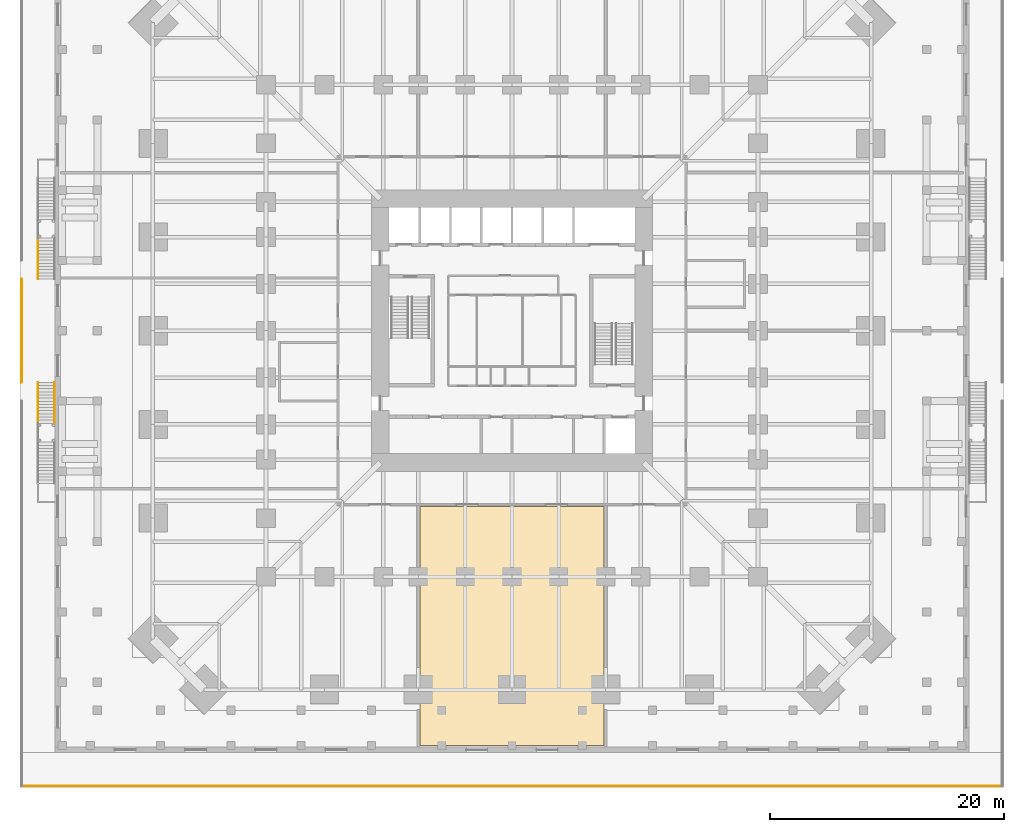
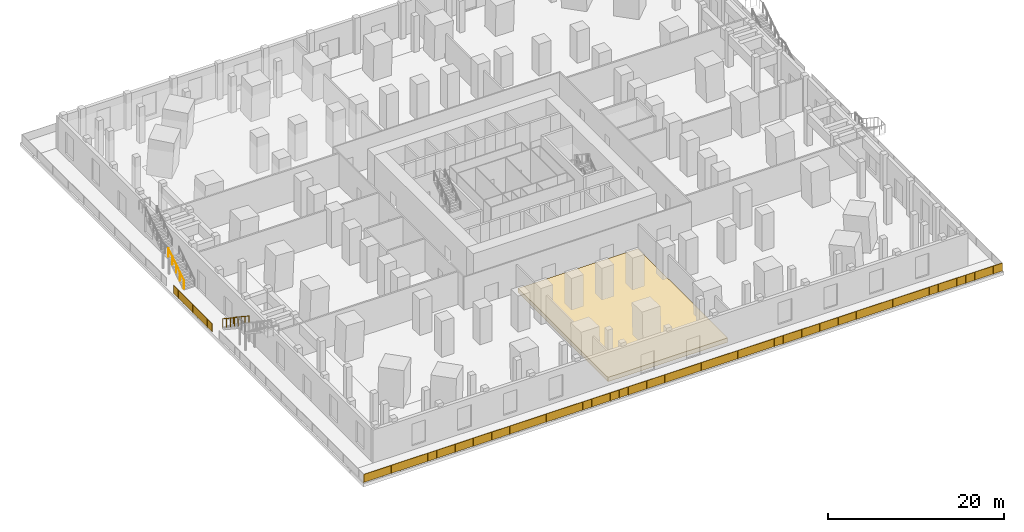
# One storey, part 18 of 22: 5 railings, 1 covering.
"""IFC4 building model written with IfcOpenShell, lengths in metres."""

from ifc_helpers import new_model, si_unit, direction, frame, origin, origin_2d, place, context, subcontext, project, spatial, polyline, rectangle, circle, outline, extrude, material, layer, layer_set, type_object, element, save


model = new_model("IFC4")

# Units and contexts
model_context = context("Model", 3, precision=1e-05, world=origin(), true_north=direction((0.0, 1.0)))
body_context = subcontext(model_context, "Body", "Model", "MODEL_VIEW")
ifc_project = project(units=[si_unit("LENGTHUNIT", "METRE"), si_unit("AREAUNIT", "SQUARE_METRE"), si_unit("VOLUMEUNIT", "CUBIC_METRE"), si_unit("PLANEANGLEUNIT", "RADIAN"), si_unit("MASSUNIT", "GRAM", prefix="KILO")], contexts=[model_context])

# Site, building, storey
site_placement = place(None, origin())
site = spatial("IfcSite", under=ifc_project, at=site_placement, CompositionType="ELEMENT")
building_placement = place(site_placement, origin())
building = spatial("IfcBuilding", under=site, at=building_placement, Name="Peilmerk Tower", CompositionType="ELEMENT")
storey_placement = place(building_placement, frame((0.0, 0.0, 6.0)))
storey = spatial("IfcBuildingStorey", under=building, at=storey_placement, Name="L01", CompositionType="ELEMENT", Elevation=6.0)

# Railings
ifc_material_1 = material(Name="Steel flat bar balustrade", Category="steel")
railing_type_1 = type_object("IfcRailingType", Name="GR1 1200 stair guard", PredefinedType="GUARDRAIL", material=ifc_material_1)
railing_1_placement = place(storey_placement, frame((-40.469970703125, 4.39990234375, 0.178466796875)))
element("IfcRailing", 1, at=railing_1_placement, inside=storey, type_object=railing_type_1, Name="Guard external stair 5 L01", PredefinedType="GUARDRAIL", context=body_context, shape_type="SweptSolid", body=[
    extrude(circle(Radius=0.02392578125, at=origin_2d()), frame((0.0, 0.0, 1.17578125), z_axis=(0.0, 0.834070780157, 0.551657442339), x_axis=(-1.0, 0.0, 0.0)), (0.0, 0.0, 1.0), 4.208251953125),
    extrude(circle(Radius=0.02099609375, at=origin_2d()), origin(), (0.0, 0.0, 1.0), 1.15185546875),
    extrude(circle(Radius=0.02099609375, at=origin_2d()), frame((0.0, 0.87744140625, 0.580322265625)), (0.0, 0.0, 1.0), 1.15185546875),
    extrude(circle(Radius=0.02099609375, at=origin_2d()), frame((0.0, 1.7548828125, 1.16064453125)), (0.0, 0.0, 1.0), 1.15185546875),
    extrude(circle(Radius=0.02099609375, at=origin_2d()), frame((0.0, 2.632568359375, 1.7412109375)), (0.0, 0.0, 1.0), 1.15185546875),
    extrude(circle(Radius=0.02099609375, at=origin_2d()), frame((0.0, 3.510009765625, 2.321533203125)), (0.0, 0.0, 1.0), 1.15185546875),
])
railing_2_placement = place(storey_placement, frame((-40.469970703125, -4.39990234375, 0.178466796875)))
element("IfcRailing", 2, at=railing_2_placement, inside=storey, type_object=railing_type_1, Name="Guard external stair 6 L01", PredefinedType="GUARDRAIL", context=body_context, shape_type="SweptSolid", body=[
    extrude(circle(Radius=0.02392578125, at=origin_2d()), frame((0.0, 0.0, 1.17578125), z_axis=(0.0, -0.834070780157, 0.551657442339), x_axis=(1.0, 0.0, 0.0)), (0.0, 0.0, 1.0), 4.208251953125),
    extrude(circle(Radius=0.02099609375, at=origin_2d()), origin(), (0.0, 0.0, 1.0), 1.15185546875),
    extrude(circle(Radius=0.02099609375, at=origin_2d()), frame((0.0, -0.87744140625, 0.580322265625)), (0.0, 0.0, 1.0), 1.15185546875),
    extrude(circle(Radius=0.02099609375, at=origin_2d()), frame((0.0, -1.7548828125, 1.16064453125)), (0.0, 0.0, 1.0), 1.15185546875),
    extrude(circle(Radius=0.02099609375, at=origin_2d()), frame((0.0, -2.632568359375, 1.7412109375)), (0.0, 0.0, 1.0), 1.15185546875),
    extrude(circle(Radius=0.02099609375, at=origin_2d()), frame((0.0, -3.510009765625, 2.321533203125)), (0.0, 0.0, 1.0), 1.15185546875),
])
ifc_material_2 = material(Name="Galvanised steel posts and top rail, laminated glass infill 16", Category="steel")
railing_type_2 = type_object("IfcRailingType", Name="GR2 1200 terrace balustrade", PredefinedType="BALUSTRADE", material=ifc_material_2)
railing_3_placement = place(storey_placement, frame((-41.85009765625, -38.85009765625, 0.0)))
element("IfcRailing", 3, at=railing_3_placement, inside=storey, type_object=railing_type_2, Name="Terrace balustrade L01", PredefinedType="BALUSTRADE", context=body_context, shape_type="SweptSolid", body=[
    extrude(circle(Radius=0.02392578125, at=origin_2d()), frame((0.0, 0.0, 1.17578125), z_axis=(1.0, 0.0, 0.0), x_axis=(0.0, 1.0, 0.0)), (0.0, 0.0, 1.0), 83.7001953125),
    extrude(circle(Radius=0.02099609375, at=origin_2d()), origin(), (0.0, 0.0, 1.0), 1.15185546875),
    extrude(circle(Radius=0.02099609375, at=origin_2d()), frame((1.19580078125, 0.0, 0.0)), (0.0, 0.0, 1.0), 1.15185546875),
    extrude(circle(Radius=0.02099609375, at=origin_2d()), frame((2.391357421875, 0.0, 0.0)), (0.0, 0.0, 1.0), 1.15185546875),
    extrude(circle(Radius=0.02099609375, at=origin_2d()), frame((3.587158203125, 0.0, 0.0)), (0.0, 0.0, 1.0), 1.15185546875),
    extrude(circle(Radius=0.02099609375, at=origin_2d()), frame((4.782958984375, 0.0, 0.0)), (0.0, 0.0, 1.0), 1.15185546875),
    extrude(circle(Radius=0.02099609375, at=origin_2d()), frame((5.978515625, 0.0, 0.0)), (0.0, 0.0, 1.0), 1.15185546875),
    extrude(circle(Radius=0.02099609375, at=origin_2d()), frame((7.17431640625, 0.0, 0.0)), (0.0, 0.0, 1.0), 1.15185546875),
    extrude(circle(Radius=0.02099609375, at=origin_2d()), frame((8.3701171875, 0.0, 0.0)), (0.0, 0.0, 1.0), 1.15185546875),
    extrude(circle(Radius=0.02099609375, at=origin_2d()), frame((9.565673828125, 0.0, 0.0)), (0.0, 0.0, 1.0), 1.15185546875),
    extrude(circle(Radius=0.02099609375, at=origin_2d()), frame((10.761474609375, 0.0, 0.0)), (0.0, 0.0, 1.0), 1.15185546875),
    extrude(circle(Radius=0.02099609375, at=origin_2d()), frame((11.957275390625, 0.0, 0.0)), (0.0, 0.0, 1.0), 1.15185546875),
    extrude(circle(Radius=0.02099609375, at=origin_2d()), frame((13.15283203125, 0.0, 0.0)), (0.0, 0.0, 1.0), 1.15185546875),
    extrude(circle(Radius=0.02099609375, at=origin_2d()), frame((14.3486328125, 0.0, 0.0)), (0.0, 0.0, 1.0), 1.15185546875),
    extrude(circle(Radius=0.02099609375, at=origin_2d()), frame((15.54443359375, 0.0, 0.0)), (0.0, 0.0, 1.0), 1.15185546875),
    extrude(circle(Radius=0.02099609375, at=origin_2d()), frame((16.739990234375, 0.0, 0.0)), (0.0, 0.0, 1.0), 1.15185546875),
    extrude(circle(Radius=0.02099609375, at=origin_2d()), frame((17.935791015625, 0.0, 0.0)), (0.0, 0.0, 1.0), 1.15185546875),
    extrude(circle(Radius=0.02099609375, at=origin_2d()), frame((19.131591796875, 0.0, 0.0)), (0.0, 0.0, 1.0), 1.15185546875),
    extrude(circle(Radius=0.02099609375, at=origin_2d()), frame((20.3271484375, 0.0, 0.0)), (0.0, 0.0, 1.0), 1.15185546875),
    extrude(circle(Radius=0.02099609375, at=origin_2d()), frame((21.52294921875, 0.0, 0.0)), (0.0, 0.0, 1.0), 1.15185546875),
    extrude(circle(Radius=0.02099609375, at=origin_2d()), frame((22.718505859375, 0.0, 0.0)), (0.0, 0.0, 1.0), 1.15185546875),
    extrude(circle(Radius=0.02099609375, at=origin_2d()), frame((23.914306640625, 0.0, 0.0)), (0.0, 0.0, 1.0), 1.15185546875),
    extrude(circle(Radius=0.02099609375, at=origin_2d()), frame((25.110107421875, 0.0, 0.0)), (0.0, 0.0, 1.0), 1.15185546875),
    extrude(circle(Radius=0.02099609375, at=origin_2d()), frame((26.3056640625, 0.0, 0.0)), (0.0, 0.0, 1.0), 1.15185546875),
    extrude(circle(Radius=0.02099609375, at=origin_2d()), frame((27.50146484375, 0.0, 0.0)), (0.0, 0.0, 1.0), 1.15185546875),
    extrude(circle(Radius=0.02099609375, at=origin_2d()), frame((28.697265625, 0.0, 0.0)), (0.0, 0.0, 1.0), 1.15185546875),
    extrude(circle(Radius=0.02099609375, at=origin_2d()), frame((29.892822265625, 0.0, 0.0)), (0.0, 0.0, 1.0), 1.15185546875),
    extrude(circle(Radius=0.02099609375, at=origin_2d()), frame((31.088623046875, 0.0, 0.0)), (0.0, 0.0, 1.0), 1.15185546875),
    extrude(circle(Radius=0.02099609375, at=origin_2d()), frame((32.284423828125, 0.0, 0.0)), (0.0, 0.0, 1.0), 1.15185546875),
    extrude(circle(Radius=0.02099609375, at=origin_2d()), frame((33.47998046875, 0.0, 0.0)), (0.0, 0.0, 1.0), 1.15185546875),
    extrude(circle(Radius=0.02099609375, at=origin_2d()), frame((34.67578125, 0.0, 0.0)), (0.0, 0.0, 1.0), 1.15185546875),
    extrude(circle(Radius=0.02099609375, at=origin_2d()), frame((35.87158203125, 0.0, 0.0)), (0.0, 0.0, 1.0), 1.15185546875),
    extrude(circle(Radius=0.02099609375, at=origin_2d()), frame((37.067138671875, 0.0, 0.0)), (0.0, 0.0, 1.0), 1.15185546875),
    extrude(circle(Radius=0.02099609375, at=origin_2d()), frame((38.262939453125, 0.0, 0.0)), (0.0, 0.0, 1.0), 1.15185546875),
    extrude(circle(Radius=0.02099609375, at=origin_2d()), frame((39.458740234375, 0.0, 0.0)), (0.0, 0.0, 1.0), 1.15185546875),
    extrude(circle(Radius=0.02099609375, at=origin_2d()), frame((40.654296875, 0.0, 0.0)), (0.0, 0.0, 1.0), 1.15185546875),
    extrude(circle(Radius=0.02099609375, at=origin_2d()), frame((41.85009765625, 0.0, 0.0)), (0.0, 0.0, 1.0), 1.15185546875),
    extrude(circle(Radius=0.02099609375, at=origin_2d()), frame((43.0458984375, 0.0, 0.0)), (0.0, 0.0, 1.0), 1.15185546875),
    extrude(circle(Radius=0.02099609375, at=origin_2d()), frame((44.241455078125, 0.0, 0.0)), (0.0, 0.0, 1.0), 1.15185546875),
    extrude(circle(Radius=0.02099609375, at=origin_2d()), frame((45.437255859375, 0.0, 0.0)), (0.0, 0.0, 1.0), 1.15185546875),
    extrude(circle(Radius=0.02099609375, at=origin_2d()), frame((46.633056640625, 0.0, 0.0)), (0.0, 0.0, 1.0), 1.15185546875),
    extrude(circle(Radius=0.02099609375, at=origin_2d()), frame((47.82861328125, 0.0, 0.0)), (0.0, 0.0, 1.0), 1.15185546875),
    extrude(circle(Radius=0.02099609375, at=origin_2d()), frame((49.0244140625, 0.0, 0.0)), (0.0, 0.0, 1.0), 1.15185546875),
    extrude(circle(Radius=0.02099609375, at=origin_2d()), frame((50.22021484375, 0.0, 0.0)), (0.0, 0.0, 1.0), 1.15185546875),
    extrude(circle(Radius=0.02099609375, at=origin_2d()), frame((51.415771484375, 0.0, 0.0)), (0.0, 0.0, 1.0), 1.15185546875),
    extrude(circle(Radius=0.02099609375, at=origin_2d()), frame((52.611572265625, 0.0, 0.0)), (0.0, 0.0, 1.0), 1.15185546875),
    extrude(circle(Radius=0.02099609375, at=origin_2d()), frame((53.807373046875, 0.0, 0.0)), (0.0, 0.0, 1.0), 1.15185546875),
    extrude(circle(Radius=0.02099609375, at=origin_2d()), frame((55.0029296875, 0.0, 0.0)), (0.0, 0.0, 1.0), 1.15185546875),
    extrude(circle(Radius=0.02099609375, at=origin_2d()), frame((56.19873046875, 0.0, 0.0)), (0.0, 0.0, 1.0), 1.15185546875),
    extrude(circle(Radius=0.02099609375, at=origin_2d()), frame((57.39453125, 0.0, 0.0)), (0.0, 0.0, 1.0), 1.15185546875),
    extrude(circle(Radius=0.02099609375, at=origin_2d()), frame((58.590087890625, 0.0, 0.0)), (0.0, 0.0, 1.0), 1.15185546875),
    extrude(circle(Radius=0.02099609375, at=origin_2d()), frame((59.785888671875, 0.0, 0.0)), (0.0, 0.0, 1.0), 1.15185546875),
    extrude(circle(Radius=0.02099609375, at=origin_2d()), frame((60.981689453125, 0.0, 0.0)), (0.0, 0.0, 1.0), 1.15185546875),
    extrude(circle(Radius=0.02099609375, at=origin_2d()), frame((62.17724609375, 0.0, 0.0)), (0.0, 0.0, 1.0), 1.15185546875),
    extrude(circle(Radius=0.02099609375, at=origin_2d()), frame((63.373046875, 0.0, 0.0)), (0.0, 0.0, 1.0), 1.15185546875),
    extrude(circle(Radius=0.02099609375, at=origin_2d()), frame((64.568603515625, 0.0, 0.0)), (0.0, 0.0, 1.0), 1.15185546875),
    extrude(circle(Radius=0.02099609375, at=origin_2d()), frame((65.764404296875, 0.0, 0.0)), (0.0, 0.0, 1.0), 1.15185546875),
    extrude(circle(Radius=0.02099609375, at=origin_2d()), frame((66.960205078125, 0.0, 0.0)), (0.0, 0.0, 1.0), 1.15185546875),
    extrude(circle(Radius=0.02099609375, at=origin_2d()), frame((68.15576171875, 0.0, 0.0)), (0.0, 0.0, 1.0), 1.15185546875),
    extrude(circle(Radius=0.02099609375, at=origin_2d()), frame((69.3515625, 0.0, 0.0)), (0.0, 0.0, 1.0), 1.15185546875),
    extrude(circle(Radius=0.02099609375, at=origin_2d()), frame((70.54736328125, 0.0, 0.0)), (0.0, 0.0, 1.0), 1.15185546875),
    extrude(circle(Radius=0.02099609375, at=origin_2d()), frame((71.742919921875, 0.0, 0.0)), (0.0, 0.0, 1.0), 1.15185546875),
    extrude(circle(Radius=0.02099609375, at=origin_2d()), frame((72.938720703125, 0.0, 0.0)), (0.0, 0.0, 1.0), 1.15185546875),
    extrude(circle(Radius=0.02099609375, at=origin_2d()), frame((74.134521484375, 0.0, 0.0)), (0.0, 0.0, 1.0), 1.15185546875),
    extrude(circle(Radius=0.02099609375, at=origin_2d()), frame((75.330078125, 0.0, 0.0)), (0.0, 0.0, 1.0), 1.15185546875),
    extrude(circle(Radius=0.02099609375, at=origin_2d()), frame((76.52587890625, 0.0, 0.0)), (0.0, 0.0, 1.0), 1.15185546875),
    extrude(circle(Radius=0.02099609375, at=origin_2d()), frame((77.7216796875, 0.0, 0.0)), (0.0, 0.0, 1.0), 1.15185546875),
    extrude(circle(Radius=0.02099609375, at=origin_2d()), frame((78.917236328125, 0.0, 0.0)), (0.0, 0.0, 1.0), 1.15185546875),
    extrude(circle(Radius=0.02099609375, at=origin_2d()), frame((80.113037109375, 0.0, 0.0)), (0.0, 0.0, 1.0), 1.15185546875),
    extrude(circle(Radius=0.02099609375, at=origin_2d()), frame((81.308837890625, 0.0, 0.0)), (0.0, 0.0, 1.0), 1.15185546875),
    extrude(circle(Radius=0.02099609375, at=origin_2d()), frame((82.50439453125, 0.0, 0.0)), (0.0, 0.0, 1.0), 1.15185546875),
    extrude(circle(Radius=0.02099609375, at=origin_2d()), frame((83.7001953125, 0.0, 0.0)), (0.0, 0.0, 1.0), 1.15185546875),
    extrude(rectangle(XDim=1.15380859375, YDim=0.01611328125, at=origin_2d()), frame((0.597900390625, 0.0, 0.050048828125), z_axis=(0.0, 0.0, 1.0), x_axis=(1.0, 0.0, 0.0)), (0.0, 0.0, 1.0), 1.101806640625),
    extrude(rectangle(XDim=1.15380859375, YDim=0.01611328125, at=origin_2d()), frame((1.79345703125, 0.0, 0.050048828125), z_axis=(0.0, 0.0, 1.0), x_axis=(1.0, 0.0, 0.0)), (0.0, 0.0, 1.0), 1.101806640625),
    extrude(rectangle(XDim=1.15380859375, YDim=0.01611328125, at=origin_2d()), frame((2.9892578125, 0.0, 0.050048828125), z_axis=(0.0, 0.0, 1.0), x_axis=(1.0, 0.0, 0.0)), (0.0, 0.0, 1.0), 1.101806640625),
    extrude(rectangle(XDim=1.15380859375, YDim=0.01611328125, at=origin_2d()), frame((4.18505859375, 0.0, 0.050048828125), z_axis=(0.0, 0.0, 1.0), x_axis=(1.0, 0.0, 0.0)), (0.0, 0.0, 1.0), 1.101806640625),
    extrude(rectangle(XDim=1.15380859375, YDim=0.01611328125, at=origin_2d()), frame((5.380615234375, 0.0, 0.050048828125), z_axis=(0.0, 0.0, 1.0), x_axis=(1.0, 0.0, 0.0)), (0.0, 0.0, 1.0), 1.101806640625),
    extrude(rectangle(XDim=1.15380859375, YDim=0.01611328125, at=origin_2d()), frame((6.576416015625, 0.0, 0.050048828125), z_axis=(0.0, 0.0, 1.0), x_axis=(1.0, 0.0, 0.0)), (0.0, 0.0, 1.0), 1.101806640625),
    extrude(rectangle(XDim=1.15380859375, YDim=0.01611328125, at=origin_2d()), frame((7.772216796875, 0.0, 0.050048828125), z_axis=(0.0, 0.0, 1.0), x_axis=(1.0, 0.0, 0.0)), (0.0, 0.0, 1.0), 1.101806640625),
    extrude(rectangle(XDim=1.15380859375, YDim=0.01611328125, at=origin_2d()), frame((8.9677734375, 0.0, 0.050048828125), z_axis=(0.0, 0.0, 1.0), x_axis=(1.0, 0.0, 0.0)), (0.0, 0.0, 1.0), 1.101806640625),
    extrude(rectangle(XDim=1.15380859375, YDim=0.01611328125, at=origin_2d()), frame((10.16357421875, 0.0, 0.050048828125), z_axis=(0.0, 0.0, 1.0), x_axis=(1.0, 0.0, 0.0)), (0.0, 0.0, 1.0), 1.101806640625),
    extrude(rectangle(XDim=1.15380859375, YDim=0.01611328125, at=origin_2d()), frame((11.359375, 0.0, 0.050048828125), z_axis=(0.0, 0.0, 1.0), x_axis=(1.0, 0.0, 0.0)), (0.0, 0.0, 1.0), 1.101806640625),
    extrude(rectangle(XDim=1.15380859375, YDim=0.01611328125, at=origin_2d()), frame((12.554931640625, 0.0, 0.050048828125), z_axis=(0.0, 0.0, 1.0), x_axis=(1.0, 0.0, 0.0)), (0.0, 0.0, 1.0), 1.101806640625),
    extrude(rectangle(XDim=1.15380859375, YDim=0.01611328125, at=origin_2d()), frame((13.750732421875, 0.0, 0.050048828125), z_axis=(0.0, 0.0, 1.0), x_axis=(1.0, 0.0, 0.0)), (0.0, 0.0, 1.0), 1.101806640625),
    extrude(rectangle(XDim=1.15380859375, YDim=0.01611328125, at=origin_2d()), frame((14.946533203125, 0.0, 0.050048828125), z_axis=(0.0, 0.0, 1.0), x_axis=(1.0, 0.0, 0.0)), (0.0, 0.0, 1.0), 1.101806640625),
    extrude(rectangle(XDim=1.15380859375, YDim=0.01611328125, at=origin_2d()), frame((16.14208984375, 0.0, 0.050048828125), z_axis=(0.0, 0.0, 1.0), x_axis=(1.0, 0.0, 0.0)), (0.0, 0.0, 1.0), 1.101806640625),
    extrude(rectangle(XDim=1.15380859375, YDim=0.01611328125, at=origin_2d()), frame((17.337890625, 0.0, 0.050048828125), z_axis=(0.0, 0.0, 1.0), x_axis=(1.0, 0.0, 0.0)), (0.0, 0.0, 1.0), 1.101806640625),
    extrude(rectangle(XDim=1.15380859375, YDim=0.01611328125, at=origin_2d()), frame((18.53369140625, 0.0, 0.050048828125), z_axis=(0.0, 0.0, 1.0), x_axis=(1.0, 0.0, 0.0)), (0.0, 0.0, 1.0), 1.101806640625),
    extrude(rectangle(XDim=1.15380859375, YDim=0.01611328125, at=origin_2d()), frame((19.729248046875, 0.0, 0.050048828125), z_axis=(0.0, 0.0, 1.0), x_axis=(1.0, 0.0, 0.0)), (0.0, 0.0, 1.0), 1.101806640625),
    extrude(rectangle(XDim=1.15380859375, YDim=0.01611328125, at=origin_2d()), frame((20.925048828125, 0.0, 0.050048828125), z_axis=(0.0, 0.0, 1.0), x_axis=(1.0, 0.0, 0.0)), (0.0, 0.0, 1.0), 1.101806640625),
    extrude(rectangle(XDim=1.15380859375, YDim=0.01611328125, at=origin_2d()), frame((22.120849609375, 0.0, 0.050048828125), z_axis=(0.0, 0.0, 1.0), x_axis=(1.0, 0.0, 0.0)), (0.0, 0.0, 1.0), 1.101806640625),
    extrude(rectangle(XDim=1.15380859375, YDim=0.01611328125, at=origin_2d()), frame((23.31640625, 0.0, 0.050048828125), z_axis=(0.0, 0.0, 1.0), x_axis=(1.0, 0.0, 0.0)), (0.0, 0.0, 1.0), 1.101806640625),
    extrude(rectangle(XDim=1.15380859375, YDim=0.01611328125, at=origin_2d()), frame((24.51220703125, 0.0, 0.050048828125), z_axis=(0.0, 0.0, 1.0), x_axis=(1.0, 0.0, 0.0)), (0.0, 0.0, 1.0), 1.101806640625),
    extrude(rectangle(XDim=1.15380859375, YDim=0.01611328125, at=origin_2d()), frame((25.7080078125, 0.0, 0.050048828125), z_axis=(0.0, 0.0, 1.0), x_axis=(1.0, 0.0, 0.0)), (0.0, 0.0, 1.0), 1.101806640625),
    extrude(rectangle(XDim=1.15380859375, YDim=0.01611328125, at=origin_2d()), frame((26.903564453125, 0.0, 0.050048828125), z_axis=(0.0, 0.0, 1.0), x_axis=(1.0, 0.0, 0.0)), (0.0, 0.0, 1.0), 1.101806640625),
    extrude(rectangle(XDim=1.15380859375, YDim=0.01611328125, at=origin_2d()), frame((28.099365234375, 0.0, 0.050048828125), z_axis=(0.0, 0.0, 1.0), x_axis=(1.0, 0.0, 0.0)), (0.0, 0.0, 1.0), 1.101806640625),
    extrude(rectangle(XDim=1.15380859375, YDim=0.01611328125, at=origin_2d()), frame((29.295166015625, 0.0, 0.050048828125), z_axis=(0.0, 0.0, 1.0), x_axis=(1.0, 0.0, 0.0)), (0.0, 0.0, 1.0), 1.101806640625),
    extrude(rectangle(XDim=1.15380859375, YDim=0.01611328125, at=origin_2d()), frame((30.49072265625, 0.0, 0.050048828125), z_axis=(0.0, 0.0, 1.0), x_axis=(1.0, 0.0, 0.0)), (0.0, 0.0, 1.0), 1.101806640625),
    extrude(rectangle(XDim=1.15380859375, YDim=0.01611328125, at=origin_2d()), frame((31.6865234375, 0.0, 0.050048828125), z_axis=(0.0, 0.0, 1.0), x_axis=(1.0, 0.0, 0.0)), (0.0, 0.0, 1.0), 1.101806640625),
    extrude(rectangle(XDim=1.15380859375, YDim=0.01611328125, at=origin_2d()), frame((32.88232421875, 0.0, 0.050048828125), z_axis=(0.0, 0.0, 1.0), x_axis=(1.0, 0.0, 0.0)), (0.0, 0.0, 1.0), 1.101806640625),
    extrude(rectangle(XDim=1.15380859375, YDim=0.01611328125, at=origin_2d()), frame((34.077880859375, 0.0, 0.050048828125), z_axis=(0.0, 0.0, 1.0), x_axis=(1.0, 0.0, 0.0)), (0.0, 0.0, 1.0), 1.101806640625),
    extrude(rectangle(XDim=1.15380859375, YDim=0.01611328125, at=origin_2d()), frame((35.273681640625, 0.0, 0.050048828125), z_axis=(0.0, 0.0, 1.0), x_axis=(1.0, 0.0, 0.0)), (0.0, 0.0, 1.0), 1.101806640625),
    extrude(rectangle(XDim=1.15380859375, YDim=0.01611328125, at=origin_2d()), frame((36.469482421875, 0.0, 0.050048828125), z_axis=(0.0, 0.0, 1.0), x_axis=(1.0, 0.0, 0.0)), (0.0, 0.0, 1.0), 1.101806640625),
    extrude(rectangle(XDim=1.15380859375, YDim=0.01611328125, at=origin_2d()), frame((37.6650390625, 0.0, 0.050048828125), z_axis=(0.0, 0.0, 1.0), x_axis=(1.0, 0.0, 0.0)), (0.0, 0.0, 1.0), 1.101806640625),
    extrude(rectangle(XDim=1.15380859375, YDim=0.01611328125, at=origin_2d()), frame((38.86083984375, 0.0, 0.050048828125), z_axis=(0.0, 0.0, 1.0), x_axis=(1.0, 0.0, 0.0)), (0.0, 0.0, 1.0), 1.101806640625),
    extrude(rectangle(XDim=1.15380859375, YDim=0.01611328125, at=origin_2d()), frame((40.056640625, 0.0, 0.050048828125), z_axis=(0.0, 0.0, 1.0), x_axis=(1.0, 0.0, 0.0)), (0.0, 0.0, 1.0), 1.101806640625),
    extrude(rectangle(XDim=1.15380859375, YDim=0.01611328125, at=origin_2d()), frame((41.252197265625, 0.0, 0.050048828125), z_axis=(0.0, 0.0, 1.0), x_axis=(1.0, 0.0, 0.0)), (0.0, 0.0, 1.0), 1.101806640625),
    extrude(rectangle(XDim=1.15380859375, YDim=0.01611328125, at=origin_2d()), frame((42.447998046875, 0.0, 0.050048828125), z_axis=(0.0, 0.0, 1.0), x_axis=(1.0, 0.0, 0.0)), (0.0, 0.0, 1.0), 1.101806640625),
    extrude(rectangle(XDim=1.15380859375, YDim=0.01611328125, at=origin_2d()), frame((43.6435546875, 0.0, 0.050048828125), z_axis=(0.0, 0.0, 1.0), x_axis=(1.0, 0.0, 0.0)), (0.0, 0.0, 1.0), 1.101806640625),
    extrude(rectangle(XDim=1.15380859375, YDim=0.01611328125, at=origin_2d()), frame((44.83935546875, 0.0, 0.050048828125), z_axis=(0.0, 0.0, 1.0), x_axis=(1.0, 0.0, 0.0)), (0.0, 0.0, 1.0), 1.101806640625),
    extrude(rectangle(XDim=1.15380859375, YDim=0.01611328125, at=origin_2d()), frame((46.03515625, 0.0, 0.050048828125), z_axis=(0.0, 0.0, 1.0), x_axis=(1.0, 0.0, 0.0)), (0.0, 0.0, 1.0), 1.101806640625),
    extrude(rectangle(XDim=1.15380859375, YDim=0.01611328125, at=origin_2d()), frame((47.230712890625, 0.0, 0.050048828125), z_axis=(0.0, 0.0, 1.0), x_axis=(1.0, 0.0, 0.0)), (0.0, 0.0, 1.0), 1.101806640625),
    extrude(rectangle(XDim=1.15380859375, YDim=0.01611328125, at=origin_2d()), frame((48.426513671875, 0.0, 0.050048828125), z_axis=(0.0, 0.0, 1.0), x_axis=(1.0, 0.0, 0.0)), (0.0, 0.0, 1.0), 1.101806640625),
    extrude(rectangle(XDim=1.15380859375, YDim=0.01611328125, at=origin_2d()), frame((49.622314453125, 0.0, 0.050048828125), z_axis=(0.0, 0.0, 1.0), x_axis=(1.0, 0.0, 0.0)), (0.0, 0.0, 1.0), 1.101806640625),
    extrude(rectangle(XDim=1.15380859375, YDim=0.01611328125, at=origin_2d()), frame((50.81787109375, 0.0, 0.050048828125), z_axis=(0.0, 0.0, 1.0), x_axis=(1.0, 0.0, 0.0)), (0.0, 0.0, 1.0), 1.101806640625),
    extrude(rectangle(XDim=1.15380859375, YDim=0.01611328125, at=origin_2d()), frame((52.013671875, 0.0, 0.050048828125), z_axis=(0.0, 0.0, 1.0), x_axis=(1.0, 0.0, 0.0)), (0.0, 0.0, 1.0), 1.101806640625),
    extrude(rectangle(XDim=1.15380859375, YDim=0.01611328125, at=origin_2d()), frame((53.20947265625, 0.0, 0.050048828125), z_axis=(0.0, 0.0, 1.0), x_axis=(1.0, 0.0, 0.0)), (0.0, 0.0, 1.0), 1.101806640625),
    extrude(rectangle(XDim=1.15380859375, YDim=0.01611328125, at=origin_2d()), frame((54.405029296875, 0.0, 0.050048828125), z_axis=(0.0, 0.0, 1.0), x_axis=(1.0, 0.0, 0.0)), (0.0, 0.0, 1.0), 1.101806640625),
    extrude(rectangle(XDim=1.15380859375, YDim=0.01611328125, at=origin_2d()), frame((55.600830078125, 0.0, 0.050048828125), z_axis=(0.0, 0.0, 1.0), x_axis=(1.0, 0.0, 0.0)), (0.0, 0.0, 1.0), 1.101806640625),
    extrude(rectangle(XDim=1.15380859375, YDim=0.01611328125, at=origin_2d()), frame((56.796630859375, 0.0, 0.050048828125), z_axis=(0.0, 0.0, 1.0), x_axis=(1.0, 0.0, 0.0)), (0.0, 0.0, 1.0), 1.101806640625),
    extrude(rectangle(XDim=1.15380859375, YDim=0.01611328125, at=origin_2d()), frame((57.9921875, 0.0, 0.050048828125), z_axis=(0.0, 0.0, 1.0), x_axis=(1.0, 0.0, 0.0)), (0.0, 0.0, 1.0), 1.101806640625),
    extrude(rectangle(XDim=1.15380859375, YDim=0.01611328125, at=origin_2d()), frame((59.18798828125, 0.0, 0.050048828125), z_axis=(0.0, 0.0, 1.0), x_axis=(1.0, 0.0, 0.0)), (0.0, 0.0, 1.0), 1.101806640625),
    extrude(rectangle(XDim=1.15380859375, YDim=0.01611328125, at=origin_2d()), frame((60.3837890625, 0.0, 0.050048828125), z_axis=(0.0, 0.0, 1.0), x_axis=(1.0, 0.0, 0.0)), (0.0, 0.0, 1.0), 1.101806640625),
    extrude(rectangle(XDim=1.15380859375, YDim=0.01611328125, at=origin_2d()), frame((61.579345703125, 0.0, 0.050048828125), z_axis=(0.0, 0.0, 1.0), x_axis=(1.0, 0.0, 0.0)), (0.0, 0.0, 1.0), 1.101806640625),
    extrude(rectangle(XDim=1.15380859375, YDim=0.01611328125, at=origin_2d()), frame((62.775146484375, 0.0, 0.050048828125), z_axis=(0.0, 0.0, 1.0), x_axis=(1.0, 0.0, 0.0)), (0.0, 0.0, 1.0), 1.101806640625),
    extrude(rectangle(XDim=1.15380859375, YDim=0.01611328125, at=origin_2d()), frame((63.970947265625, 0.0, 0.050048828125), z_axis=(0.0, 0.0, 1.0), x_axis=(1.0, 0.0, 0.0)), (0.0, 0.0, 1.0), 1.101806640625),
    extrude(rectangle(XDim=1.15380859375, YDim=0.01611328125, at=origin_2d()), frame((65.16650390625, 0.0, 0.050048828125), z_axis=(0.0, 0.0, 1.0), x_axis=(1.0, 0.0, 0.0)), (0.0, 0.0, 1.0), 1.101806640625),
    extrude(rectangle(XDim=1.15380859375, YDim=0.01611328125, at=origin_2d()), frame((66.3623046875, 0.0, 0.050048828125), z_axis=(0.0, 0.0, 1.0), x_axis=(1.0, 0.0, 0.0)), (0.0, 0.0, 1.0), 1.101806640625),
    extrude(rectangle(XDim=1.15380859375, YDim=0.01611328125, at=origin_2d()), frame((67.55810546875, 0.0, 0.050048828125), z_axis=(0.0, 0.0, 1.0), x_axis=(1.0, 0.0, 0.0)), (0.0, 0.0, 1.0), 1.101806640625),
    extrude(rectangle(XDim=1.15380859375, YDim=0.01611328125, at=origin_2d()), frame((68.753662109375, 0.0, 0.050048828125), z_axis=(0.0, 0.0, 1.0), x_axis=(1.0, 0.0, 0.0)), (0.0, 0.0, 1.0), 1.101806640625),
    extrude(rectangle(XDim=1.15380859375, YDim=0.01611328125, at=origin_2d()), frame((69.949462890625, 0.0, 0.050048828125), z_axis=(0.0, 0.0, 1.0), x_axis=(1.0, 0.0, 0.0)), (0.0, 0.0, 1.0), 1.101806640625),
    extrude(rectangle(XDim=1.15380859375, YDim=0.01611328125, at=origin_2d()), frame((71.145263671875, 0.0, 0.050048828125), z_axis=(0.0, 0.0, 1.0), x_axis=(1.0, 0.0, 0.0)), (0.0, 0.0, 1.0), 1.101806640625),
    extrude(rectangle(XDim=1.15380859375, YDim=0.01611328125, at=origin_2d()), frame((72.3408203125, 0.0, 0.050048828125), z_axis=(0.0, 0.0, 1.0), x_axis=(1.0, 0.0, 0.0)), (0.0, 0.0, 1.0), 1.101806640625),
    extrude(rectangle(XDim=1.15380859375, YDim=0.01611328125, at=origin_2d()), frame((73.53662109375, 0.0, 0.050048828125), z_axis=(0.0, 0.0, 1.0), x_axis=(1.0, 0.0, 0.0)), (0.0, 0.0, 1.0), 1.101806640625),
    extrude(rectangle(XDim=1.15380859375, YDim=0.01611328125, at=origin_2d()), frame((74.732421875, 0.0, 0.050048828125), z_axis=(0.0, 0.0, 1.0), x_axis=(1.0, 0.0, 0.0)), (0.0, 0.0, 1.0), 1.101806640625),
    extrude(rectangle(XDim=1.15380859375, YDim=0.01611328125, at=origin_2d()), frame((75.927978515625, 0.0, 0.050048828125), z_axis=(0.0, 0.0, 1.0), x_axis=(1.0, 0.0, 0.0)), (0.0, 0.0, 1.0), 1.101806640625),
    extrude(rectangle(XDim=1.15380859375, YDim=0.01611328125, at=origin_2d()), frame((77.123779296875, 0.0, 0.050048828125), z_axis=(0.0, 0.0, 1.0), x_axis=(1.0, 0.0, 0.0)), (0.0, 0.0, 1.0), 1.101806640625),
    extrude(rectangle(XDim=1.15380859375, YDim=0.01611328125, at=origin_2d()), frame((78.319580078125, 0.0, 0.050048828125), z_axis=(0.0, 0.0, 1.0), x_axis=(1.0, 0.0, 0.0)), (0.0, 0.0, 1.0), 1.101806640625),
    extrude(rectangle(XDim=1.15380859375, YDim=0.01611328125, at=origin_2d()), frame((79.51513671875, 0.0, 0.050048828125), z_axis=(0.0, 0.0, 1.0), x_axis=(1.0, 0.0, 0.0)), (0.0, 0.0, 1.0), 1.101806640625),
    extrude(rectangle(XDim=1.15380859375, YDim=0.01611328125, at=origin_2d()), frame((80.7109375, 0.0, 0.050048828125), z_axis=(0.0, 0.0, 1.0), x_axis=(1.0, 0.0, 0.0)), (0.0, 0.0, 1.0), 1.101806640625),
    extrude(rectangle(XDim=1.15380859375, YDim=0.01611328125, at=origin_2d()), frame((81.90673828125, 0.0, 0.050048828125), z_axis=(0.0, 0.0, 1.0), x_axis=(1.0, 0.0, 0.0)), (0.0, 0.0, 1.0), 1.101806640625),
    extrude(rectangle(XDim=1.15380859375, YDim=0.01611328125, at=origin_2d()), frame((83.102294921875, 0.0, 0.050048828125), z_axis=(0.0, 0.0, 1.0), x_axis=(1.0, 0.0, 0.0)), (0.0, 0.0, 1.0), 1.101806640625),
])
railing_4_placement = place(storey_placement, frame((-41.85009765625, -4.39990234375, 0.0)))
element("IfcRailing", 4, at=railing_4_placement, inside=storey, type_object=railing_type_2, Name="Terrace balustrade L01", PredefinedType="BALUSTRADE", context=body_context, shape_type="SweptSolid", body=[
    extrude(circle(Radius=0.02392578125, at=origin_2d()), frame((0.0, 0.0, 1.17578125), z_axis=(0.0, 1.0, 0.0), x_axis=(-1.0, 0.0, 0.0)), (0.0, 0.0, 1.0), 8.7998046875),
    extrude(circle(Radius=0.02099609375, at=origin_2d()), origin(), (0.0, 0.0, 1.0), 1.15185546875),
    extrude(circle(Radius=0.02099609375, at=origin_2d()), frame((0.0, 1.10009765625, 0.0)), (0.0, 0.0, 1.0), 1.15185546875),
    extrude(circle(Radius=0.02099609375, at=origin_2d()), frame((0.0, 2.199951171875, 0.0)), (0.0, 0.0, 1.0), 1.15185546875),
    extrude(circle(Radius=0.02099609375, at=origin_2d()), frame((0.0, 3.2998046875, 0.0)), (0.0, 0.0, 1.0), 1.15185546875),
    extrude(circle(Radius=0.02099609375, at=origin_2d()), frame((0.0, 4.39990234375, 0.0)), (0.0, 0.0, 1.0), 1.15185546875),
    extrude(circle(Radius=0.02099609375, at=origin_2d()), frame((0.0, 5.5, 0.0)), (0.0, 0.0, 1.0), 1.15185546875),
    extrude(circle(Radius=0.02099609375, at=origin_2d()), frame((0.0, 6.599853515625, 0.0)), (0.0, 0.0, 1.0), 1.15185546875),
    extrude(circle(Radius=0.02099609375, at=origin_2d()), frame((0.0, 7.69970703125, 0.0)), (0.0, 0.0, 1.0), 1.15185546875),
    extrude(circle(Radius=0.02099609375, at=origin_2d()), frame((0.0, 8.7998046875, 0.0)), (0.0, 0.0, 1.0), 1.15185546875),
    extrude(rectangle(XDim=1.05810546875, YDim=0.01611328125, at=origin_2d()), frame((0.0, 0.550048828125, 0.050048828125), z_axis=(0.0, 0.0, 1.0), x_axis=(0.0, 1.0, 0.0)), (0.0, 0.0, 1.0), 1.101806640625),
    extrude(rectangle(XDim=1.05810546875, YDim=0.01611328125, at=origin_2d()), frame((0.0, 1.64990234375, 0.050048828125), z_axis=(0.0, 0.0, 1.0), x_axis=(0.0, 1.0, 0.0)), (0.0, 0.0, 1.0), 1.101806640625),
    extrude(rectangle(XDim=1.05810546875, YDim=0.01611328125, at=origin_2d()), frame((0.0, 2.75, 0.050048828125), z_axis=(0.0, 0.0, 1.0), x_axis=(0.0, 1.0, 0.0)), (0.0, 0.0, 1.0), 1.101806640625),
    extrude(rectangle(XDim=1.05810546875, YDim=0.01611328125, at=origin_2d()), frame((0.0, 3.849853515625, 0.050048828125), z_axis=(0.0, 0.0, 1.0), x_axis=(0.0, 1.0, 0.0)), (0.0, 0.0, 1.0), 1.101806640625),
    extrude(rectangle(XDim=1.05810546875, YDim=0.01611328125, at=origin_2d()), frame((0.0, 4.949951171875, 0.050048828125), z_axis=(0.0, 0.0, 1.0), x_axis=(0.0, 1.0, 0.0)), (0.0, 0.0, 1.0), 1.101806640625),
    extrude(rectangle(XDim=1.05810546875, YDim=0.01611328125, at=origin_2d()), frame((0.0, 6.0498046875, 0.050048828125), z_axis=(0.0, 0.0, 1.0), x_axis=(0.0, 1.0, 0.0)), (0.0, 0.0, 1.0), 1.101806640625),
    extrude(rectangle(XDim=1.05810546875, YDim=0.01611328125, at=origin_2d()), frame((0.0, 7.14990234375, 0.050048828125), z_axis=(0.0, 0.0, 1.0), x_axis=(0.0, 1.0, 0.0)), (0.0, 0.0, 1.0), 1.101806640625),
    extrude(rectangle(XDim=1.05810546875, YDim=0.01611328125, at=origin_2d()), frame((0.0, 8.249755859375, 0.050048828125), z_axis=(0.0, 0.0, 1.0), x_axis=(0.0, 1.0, 0.0)), (0.0, 0.0, 1.0), 1.101806640625),
])
ifc_material_3 = material(Name="Stainless steel tube", Category="steel")
railing_type_3 = type_object("IfcRailingType", Name="HR1 900 stair handrail", PredefinedType="HANDRAIL", material=ifc_material_3)
railing_5_placement = place(storey_placement, frame((-39.050048828125, -4.39990234375, 0.178466796875)))
element("IfcRailing", 5, at=railing_5_placement, inside=storey, type_object=railing_type_3, Name="Handrail external stair 6 L01", PredefinedType="HANDRAIL", context=body_context, shape_type="SweptSolid", body=[
    extrude(circle(Radius=0.02392578125, at=origin_2d()), frame((0.0, 0.0, 0.8759765625), z_axis=(0.0, -0.834070780157, 0.551657442339), x_axis=(1.0, 0.0, 0.0)), (0.0, 0.0, 1.0), 4.208251953125),
    extrude(circle(Radius=0.02099609375, at=origin_2d()), origin(), (0.0, 0.0, 1.0), 0.851806640625),
    extrude(circle(Radius=0.02099609375, at=origin_2d()), frame((0.0, -0.87744140625, 0.580322265625)), (0.0, 0.0, 1.0), 0.851806640625),
    extrude(circle(Radius=0.02099609375, at=origin_2d()), frame((0.0, -1.7548828125, 1.16064453125)), (0.0, 0.0, 1.0), 0.851806640625),
    extrude(circle(Radius=0.02099609375, at=origin_2d()), frame((0.0, -2.632568359375, 1.7412109375)), (0.0, 0.0, 1.0), 0.851806640625),
    extrude(circle(Radius=0.02099609375, at=origin_2d()), frame((0.0, -3.510009765625, 2.321533203125)), (0.0, 0.0, 1.0), 0.851806640625),
])

# Covering
ifc_material_4 = material(Name="Steel raised access floor panels on pedestals", Category="steel")
ifc_layer = layer(ifc_material_4, 0.60009765625)
ifc_layer_set = layer_set([ifc_layer], Name="Steel raised access floor panels on pedestals")
covering_type = type_object("IfcCoveringType", Name="RF1 600 raised access floor", PredefinedType="FLOORING", material=ifc_layer_set)
covering_placement = place(storey_placement, origin())
element("IfcCovering", 6, at=covering_placement, inside=storey, type_object=covering_type, Name="Raised access floor Meet-me room B", PredefinedType="FLOORING", context=body_context, shape_type="SweptSolid", body=[
    extrude(outline(polyline([(-7.85009765625, -35.39990234375), (7.85009765625, -35.39990234375), (7.85009765625, -15.0), (-7.85009765625, -15.0), (-7.85009765625, -35.39990234375)])), origin(), (0.0, 0.0, 1.0), 0.60009765625),
])

save(model, "model.ifc")
